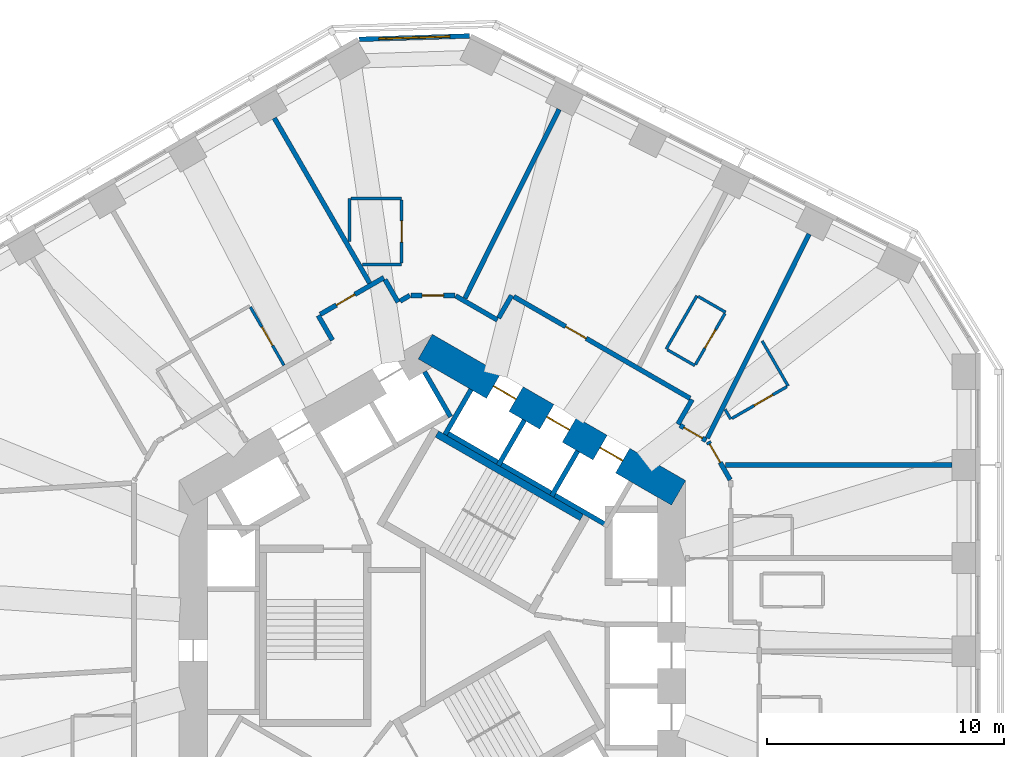
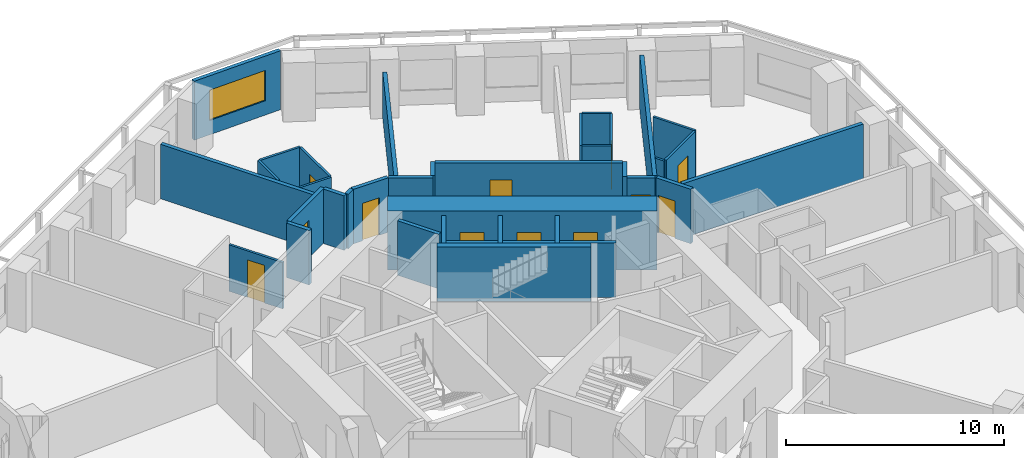
# One storey, part 8 of 12: 35 walls, 12 doors, 1 window, 13 openings.
"""IFC4 building model written with IfcOpenShell, lengths in metres."""

from ifc_helpers import new_model, si_unit, direction, frame, frame_2d, origin, place, context, subcontext, project, spatial, rectangle, extrude, material, layer, layer_set, type_object, element, fill, save


model = new_model("IFC4")

# Units and contexts
model_context = context("Model", 3, precision=1e-05, world=origin(), true_north=direction((0.0, 1.0)))
body_context = subcontext(model_context, "Body", "Model", "MODEL_VIEW")
ifc_project = project(units=[si_unit("LENGTHUNIT", "METRE"), si_unit("AREAUNIT", "SQUARE_METRE"), si_unit("VOLUMEUNIT", "CUBIC_METRE"), si_unit("PLANEANGLEUNIT", "RADIAN"), si_unit("MASSUNIT", "GRAM", prefix="KILO")], contexts=[model_context])

# Site, building, storey
site_placement = place(None, origin())
site = spatial("IfcSite", under=ifc_project, at=site_placement, CompositionType="ELEMENT")
building_placement = place(site_placement, origin())
building = spatial("IfcBuilding", under=site, at=building_placement, Name="Vanh Sen Convention Tower", CompositionType="ELEMENT")
storey_placement = place(building_placement, frame((0.0, 0.0, 47.300048828125)))
storey = spatial("IfcBuildingStorey", under=building, at=storey_placement, Name="L08", CompositionType="ELEMENT", Elevation=47.300048828125)

# Wall, opening, door
ifc_material_1 = material(Name="Moisture-resistant gypsum board on steel studs", Category="steel")
ifc_layer_1 = layer(ifc_material_1, 0.1201171875)
ifc_layer_set_1 = layer_set([ifc_layer_1], Name="Moisture-resistant gypsum board on steel studs")
wall_type_1 = type_object("IfcWallType", Name="Bathroom partition 120", PredefinedType="PARTITIONING", material=ifc_layer_set_1)
wall_1_placement = place(storey_placement, frame((-7.687255859375, 13.505615234375, 0.0), z_axis=(0.0, 0.0, 1.0), x_axis=(0.499985389037, -0.866033839264, 0.0)))
wall_1 = element("IfcWall", 1, at=wall_1_placement, inside=storey, type_object=wall_type_1, Name="Bathroom partition 120", PredefinedType="PARTITIONING", context=body_context, shape_type="SweptSolid", body=[
    extrude(rectangle(XDim=2.83984375, YDim=0.1201171875, at=frame_2d((1.419921875, 0.0))), origin(), (0.0, 0.0, 1.0), 2.599853515625),
])
opening_1_placement = place(wall_1_placement, frame((0.969970703125, 0.0, 0.0)))
opening_1 = element("IfcOpeningElement", 2, at=opening_1_placement, cuts=wall_1, Name="Opening D07115", PredefinedType="OPENING", context=body_context, shape_type="SweptSolid", body=[
    extrude(rectangle(XDim=0.89990234375, YDim=2.10009765625, at=frame_2d((0.449951171875, 1.050048828125))), frame((0.0, 0.070068359375, 0.0), z_axis=(0.0, -1.0, 0.0), x_axis=(1.0, 0.0, 0.0)), (0.0, 0.0, 1.0), 0.14013671875),
])
ifc_material_2 = material(Name="Laminate door in steel frame", Category="steel")
door_type_1 = type_object("IfcDoorType", Name="En-suite door 900", OperationType="SINGLE_SWING_LEFT", PredefinedType="DOOR", material=ifc_material_2)
door_1_placement = place(opening_1_placement, origin())
door_1 = element("IfcDoor", 3, at=door_1_placement, inside=storey, type_object=door_type_1, Name="En-suite door D07115", OperationType="SINGLE_SWING_LEFT", OverallHeight=2.10009765625, OverallWidth=0.89990234375, PredefinedType="DOOR", context=body_context, shape_type="SweptSolid", body=[
    extrude(rectangle(XDim=0.89990234375, YDim=2.10009765625, at=frame_2d((0.449951171875, 1.050048828125))), frame((0.0, 0.02490234375, 0.0), z_axis=(0.0, -1.0, 0.0), x_axis=(1.0, 0.0, 0.0)), (0.0, 0.0, 1.0), 0.050048828125),
])
fill(opening_1, door_1)

# Walls
wall_2_placement = place(storey_placement, frame((-3.5, 16.271484375, 0.0), z_axis=(0.0, 0.0, 1.0), x_axis=(0.0, 1.0, 0.0)))
element("IfcWall", 4, at=wall_2_placement, inside=storey, type_object=wall_type_1, Name="Bathroom partition 120", PredefinedType="PARTITIONING", context=body_context, shape_type="SweptSolid", body=[
    extrude(rectangle(XDim=1.8291015625, YDim=0.1201171875, at=frame_2d((0.91455078125, 0.0))), origin(), (0.0, 0.0, 1.0), 3.050048828125),
])
wall_3_placement = place(storey_placement, frame((-3.43994140625, 18.1005859375, 0.0), z_axis=(0.0, 0.0, 1.0), x_axis=(1.0, 0.0, 0.0)))
element("IfcWall", 5, at=wall_3_placement, inside=storey, type_object=wall_type_1, Name="Bathroom partition 120", PredefinedType="PARTITIONING", context=body_context, shape_type="SweptSolid", body=[
    extrude(rectangle(XDim=2.139892578125, YDim=0.1201171875, at=frame_2d((1.06982421875, 0.0))), origin(), (0.0, 0.0, 1.0), 3.050048828125),
])
wall_4_placement = place(storey_placement, frame((-1.300048828125, 15.30078125, 0.0), z_axis=(0.0, 0.0, 1.0), x_axis=(-1.0, 0.0, 0.0)))
element("IfcWall", 6, at=wall_4_placement, inside=storey, type_object=wall_type_1, Name="Bathroom partition 120", PredefinedType="PARTITIONING", context=body_context, shape_type="SweptSolid", body=[
    extrude(rectangle(XDim=1.6611328125, YDim=0.1201171875, at=frame_2d((0.83056640625, 0.0))), origin(), (0.0, 0.0, 1.0), 3.050048828125),
])

# Wall, opening, door
wall_5_placement = place(storey_placement, frame((-1.300048828125, 18.040771484375, 0.0), z_axis=(0.0, 0.0, 1.0), x_axis=(0.0, -1.0, 0.0)))
wall_5 = element("IfcWall", 7, at=wall_5_placement, inside=storey, type_object=wall_type_1, Name="Bathroom partition 120", PredefinedType="PARTITIONING", context=body_context, shape_type="SweptSolid", body=[
    extrude(rectangle(XDim=2.68017578125, YDim=0.1201171875, at=frame_2d((1.340087890625, 0.0))), origin(), (0.0, 0.0, 1.0), 3.050048828125),
])
opening_2_placement = place(wall_5_placement, frame((0.889892578125, 0.0, 0.0)))
opening_2 = element("IfcOpeningElement", 8, at=opening_2_placement, cuts=wall_5, Name="Opening D07113", PredefinedType="OPENING", context=body_context, shape_type="SweptSolid", body=[
    extrude(rectangle(XDim=0.89990234375, YDim=2.10009765625, at=frame_2d((0.449951171875, 1.050048828125))), frame((0.0, 0.070068359375, 0.0), z_axis=(0.0, -1.0, 0.0), x_axis=(1.0, 0.0, 0.0)), (0.0, 0.0, 1.0), 0.14013671875),
])
door_2_placement = place(opening_2_placement, origin())
door_2 = element("IfcDoor", 9, at=door_2_placement, inside=storey, type_object=door_type_1, Name="En-suite door D07113", OperationType="SINGLE_SWING_LEFT", OverallHeight=2.10009765625, OverallWidth=0.89990234375, PredefinedType="DOOR", context=body_context, shape_type="SweptSolid", body=[
    extrude(rectangle(XDim=0.89990234375, YDim=2.10009765625, at=frame_2d((0.449951171875, 1.050048828125))), frame((0.0, 0.02490234375, 0.0), z_axis=(0.0, -1.0, 0.0), x_axis=(1.0, 0.0, 0.0)), (0.0, 0.0, 1.0), 0.050048828125),
])
fill(opening_2, door_2)

# Walls
wall_6_placement = place(storey_placement, frame((9.87451171875, 11.736083984375, 0.0), z_axis=(0.0, 0.0, 1.0), x_axis=(0.499936506574, 0.866062058628, 0.0)))
element("IfcWall", 10, at=wall_6_placement, inside=storey, type_object=wall_type_1, Name="Bathroom partition 120", PredefinedType="PARTITIONING", context=body_context, shape_type="SweptSolid", body=[
    extrude(rectangle(XDim=2.599853515625, YDim=0.1201171875, at=frame_2d((1.2998046875, 0.0))), origin(), (0.0, 0.0, 1.0), 3.050048828125),
])
for number, where, z_axis, x_axis, name in (
    (11, (11.0869140625, 11.0361328125, 0.0), (0.0, 0.0, 1.0), (-0.866036909293, 0.499980071345, 0.0), "Bathroom partition 120"),
    (12, (11.226318359375, 13.957763671875, 0.0), (0.0, 0.0, 1.0), (0.866036909293, -0.499980071345, 0.0), "Bathroom partition 120"),
):
    element("IfcWall", number, at=place(storey_placement, frame(where, z_axis=z_axis, x_axis=x_axis)), inside=storey, type_object=wall_type_1, Name=name, PredefinedType="PARTITIONING", context=body_context, shape_type="SweptSolid", body=[
        extrude(rectangle(XDim=1.33984375, YDim=0.1201171875, at=frame_2d((0.669921875, 0.0))), origin(), (0.0, 0.0, 1.0), 3.050048828125),
    ])

# Wall, opening, door
wall_7_placement = place(storey_placement, frame((12.356689453125, 13.23583984375, 0.0), z_axis=(0.0, 0.0, 1.0), x_axis=(-0.50000366821, -0.866023285932, 0.0)))
wall_7 = element("IfcWall", 13, at=wall_7_placement, inside=storey, type_object=wall_type_1, Name="Bathroom partition 120", PredefinedType="PARTITIONING", context=body_context, shape_type="SweptSolid", body=[
    extrude(rectangle(XDim=2.47998046875, YDim=0.1201171875, at=frame_2d((1.239990234375, 0.0))), origin(), (0.0, 0.0, 1.0), 3.050048828125),
])
opening_3_placement = place(wall_7_placement, frame((0.7900390625, 0.0, 0.0)))
opening_3 = element("IfcOpeningElement", 14, at=opening_3_placement, cuts=wall_7, Name="Opening D07110", PredefinedType="OPENING", context=body_context, shape_type="SweptSolid", body=[
    extrude(rectangle(XDim=0.89990234375, YDim=2.10009765625, at=frame_2d((0.449951171875, 1.050048828125))), frame((0.0, 0.070068359375, 0.0), z_axis=(0.0, -1.0, 0.0), x_axis=(1.0, 0.0, 0.0)), (0.0, 0.0, 1.0), 0.14013671875),
])
door_3_placement = place(opening_3_placement, origin())
door_3 = element("IfcDoor", 15, at=door_3_placement, inside=storey, type_object=door_type_1, Name="En-suite door D07110", OperationType="SINGLE_SWING_LEFT", OverallHeight=2.10009765625, OverallWidth=0.89990234375, PredefinedType="DOOR", context=body_context, shape_type="SweptSolid", body=[
    extrude(rectangle(XDim=0.89990234375, YDim=2.10009765625, at=frame_2d((0.449951171875, 1.050048828125))), frame((0.0, 0.02490234375, 0.0), z_axis=(0.0, -1.0, 0.0), x_axis=(1.0, 0.0, 0.0)), (0.0, 0.0, 1.0), 0.050048828125),
])
fill(opening_3, door_3)

# Walls
wall_8_placement = place(storey_placement, frame((12.600830078125, 8.776123046875, 0.0), z_axis=(0.0, 0.0, 1.0), x_axis=(-0.500166486798, 0.865929261247, 0.0)))
element("IfcWall", 16, at=wall_8_placement, inside=storey, type_object=wall_type_1, Name="Bathroom partition 120", PredefinedType="PARTITIONING", context=body_context, shape_type="SweptSolid", body=[
    extrude(rectangle(XDim=0.475830078125, YDim=0.1201171875, at=frame_2d((0.23779296875, 0.0))), origin(), (0.0, 0.0, 1.0), 3.050048828125),
])
wall_9_placement = place(storey_placement, frame((13.92578125, 12.081298828125, 0.0), z_axis=(0.0, 0.0, 1.0), x_axis=(0.499994660107, -0.866028486751, 0.0)))
element("IfcWall", 17, at=wall_9_placement, inside=storey, type_object=wall_type_1, Name="Bathroom partition 120", PredefinedType="PARTITIONING", context=body_context, shape_type="SweptSolid", body=[
    extrude(rectangle(XDim=2.19970703125, YDim=0.1201171875, at=frame_2d((1.099853515625, 0.0))), origin(), (0.0, 0.0, 1.0), 3.050048828125),
])

# Wall, opening, door
wall_10_placement = place(storey_placement, frame((14.9736328125, 10.146240234375, 0.0), z_axis=(0.0, 0.0, 1.0), x_axis=(-0.86599746015, -0.500048396672, 0.0)))
wall_10 = element("IfcWall", 18, at=wall_10_placement, inside=storey, type_object=wall_type_1, Name="Bathroom partition 120", PredefinedType="PARTITIONING", context=body_context, shape_type="SweptSolid", body=[
    extrude(rectangle(XDim=2.679931640625, YDim=0.1201171875, at=frame_2d((1.33984375, 0.0))), origin(), (0.0, 0.0, 1.0), 3.050048828125),
])
opening_4_placement = place(wall_10_placement, frame((0.68994140625, 0.0, 0.0)))
opening_4 = element("IfcOpeningElement", 19, at=opening_4_placement, cuts=wall_10, Name="Opening D07108", PredefinedType="OPENING", context=body_context, shape_type="SweptSolid", body=[
    extrude(rectangle(XDim=0.89990234375, YDim=2.10009765625, at=frame_2d((0.449951171875, 1.050048828125))), frame((0.0, 0.070068359375, 0.0), z_axis=(0.0, -1.0, 0.0), x_axis=(1.0, 0.0, 0.0)), (0.0, 0.0, 1.0), 0.14013671875),
])
door_4_placement = place(opening_4_placement, origin())
door_4 = element("IfcDoor", 20, at=door_4_placement, inside=storey, type_object=door_type_1, Name="En-suite door D07108", OperationType="SINGLE_SWING_LEFT", OverallHeight=2.10009765625, OverallWidth=0.89990234375, PredefinedType="DOOR", context=body_context, shape_type="SweptSolid", body=[
    extrude(rectangle(XDim=0.89990234375, YDim=2.10009765625, at=frame_2d((0.449951171875, 1.050048828125))), frame((0.0, 0.02490234375, 0.0), z_axis=(0.0, -1.0, 0.0), x_axis=(1.0, 0.0, 0.0)), (0.0, 0.0, 1.0), 0.050048828125),
])
fill(opening_4, door_4)

# Wall, openings, doors
ifc_material_3 = material(Name="Concrete C80/95", Category="concrete")
ifc_layer_2 = layer(ifc_material_3, 1.199951171875)
ifc_layer_set_2 = layer_set([ifc_layer_2], Name="Concrete C80/95")
wall_type_2 = type_object("IfcWallType", Name="Core outer wall 1200 C80/95", PredefinedType="SHEAR", material=ifc_layer_set_2)
wall_11_placement = place(storey_placement, frame((10.39990234375, 5.657958984375, 0.0), z_axis=(0.0, 0.0, 1.0), x_axis=(-0.866021384402, 0.500006961711, 0.0)))
wall_11 = element("IfcWall", 21, at=wall_11_placement, inside=storey, type_object=wall_type_2, Name="Core wall face NE L08", PredefinedType="SHEAR", context=body_context, shape_type="SweptSolid", body=[
    extrude(rectangle(XDim=12.355224609375, YDim=1.199951171875, at=frame_2d((6.177734375, 0.0))), origin(), (0.0, 0.0, 1.0), 3.300048828125),
])
opening_5_placement = place(wall_11_placement, frame((2.727783203125, 0.0, 0.0)))
opening_5 = element("IfcOpeningElement", 22, at=opening_5_placement, cuts=wall_11, Name="Opening LD-LR3", PredefinedType="OPENING", context=body_context, shape_type="SweptSolid", body=[
    extrude(rectangle(XDim=1.10009765625, YDim=2.10009765625, at=frame_2d((0.550048828125, 1.050048828125))), frame((0.0, 0.60986328125, 0.0), z_axis=(0.0, -1.0, 0.0), x_axis=(1.0, 0.0, 0.0)), (0.0, 0.0, 1.0), 1.219970703125),
])
opening_6_placement = place(wall_11_placement, frame((5.32763671875, 0.0, 0.0)))
opening_6 = element("IfcOpeningElement", 23, at=opening_6_placement, cuts=wall_11, Name="Opening LD-LR4", PredefinedType="OPENING", context=body_context, shape_type="SweptSolid", body=[
    extrude(rectangle(XDim=1.10009765625, YDim=2.10009765625, at=frame_2d((0.550048828125, 1.050048828125))), frame((0.0, 0.60986328125, 0.0), z_axis=(0.0, -1.0, 0.0), x_axis=(1.0, 0.0, 0.0)), (0.0, 0.0, 1.0), 1.219970703125),
])
opening_7_placement = place(wall_11_placement, frame((7.927734375, 0.0, 0.0)))
opening_7 = element("IfcOpeningElement", 24, at=opening_7_placement, cuts=wall_11, Name="Opening LD-LR5", PredefinedType="OPENING", context=body_context, shape_type="SweptSolid", body=[
    extrude(rectangle(XDim=1.10009765625, YDim=2.10009765625, at=frame_2d((0.550048828125, 1.050048828125))), frame((0.0, 0.60986328125, 0.0), z_axis=(0.0, -1.0, 0.0), x_axis=(1.0, 0.0, 0.0)), (0.0, 0.0, 1.0), 1.219970703125),
])
ifc_material_4 = material(Name="Stainless steel", Category="steel")
door_type_2 = type_object("IfcDoorType", Name="Lift landing door 1100", OperationType="DOUBLE_DOOR_SLIDING", PredefinedType="DOOR", material=ifc_material_4)
door_5_placement = place(opening_5_placement, origin())
door_5 = element("IfcDoor", 25, at=door_5_placement, inside=storey, type_object=door_type_2, Name="Lift LR3 landing door LD-LR3", OperationType="DOUBLE_DOOR_SLIDING", OverallHeight=2.10009765625, OverallWidth=1.10009765625, PredefinedType="DOOR", context=body_context, shape_type="SweptSolid", body=[
    extrude(rectangle(XDim=1.10009765625, YDim=2.10009765625, at=frame_2d((0.550048828125, 1.050048828125))), frame((0.0, 0.02490234375, 0.0), z_axis=(0.0, -1.0, 0.0), x_axis=(1.0, 0.0, 0.0)), (0.0, 0.0, 1.0), 0.050048828125),
])
fill(opening_5, door_5)
door_6_placement = place(opening_6_placement, origin())
door_6 = element("IfcDoor", 26, at=door_6_placement, inside=storey, type_object=door_type_2, Name="Lift LR4 landing door LD-LR4", OperationType="DOUBLE_DOOR_SLIDING", OverallHeight=2.10009765625, OverallWidth=1.10009765625, PredefinedType="DOOR", context=body_context, shape_type="SweptSolid", body=[
    extrude(rectangle(XDim=1.10009765625, YDim=2.10009765625, at=frame_2d((0.550048828125, 1.050048828125))), frame((0.0, 0.02490234375, 0.0), z_axis=(0.0, -1.0, 0.0), x_axis=(1.0, 0.0, 0.0)), (0.0, 0.0, 1.0), 0.050048828125),
])
fill(opening_6, door_6)
door_7_placement = place(opening_7_placement, origin())
door_7 = element("IfcDoor", 27, at=door_7_placement, inside=storey, type_object=door_type_2, Name="Lift LR5 landing door LD-LR5", OperationType="DOUBLE_DOOR_SLIDING", OverallHeight=2.10009765625, OverallWidth=1.10009765625, PredefinedType="DOOR", context=body_context, shape_type="SweptSolid", body=[
    extrude(rectangle(XDim=1.10009765625, YDim=2.10009765625, at=frame_2d((0.550048828125, 1.050048828125))), frame((0.0, 0.02490234375, 0.0), z_axis=(0.0, -1.0, 0.0), x_axis=(1.0, 0.0, 0.0)), (0.0, 0.0, 1.0), 0.050048828125),
])
fill(opening_7, door_7)

# Wall
ifc_material_5 = material(Name="Gypsum board on steel studs with mineral wool", Category="steel")
ifc_layer_3 = layer(ifc_material_5, 0.199951171875)
ifc_layer_set_3 = layer_set([ifc_layer_3], Name="Gypsum board on steel studs with mineral wool")
wall_type_3 = type_object("IfcWallType", Name="Corridor partition wall 200", PredefinedType="PARTITIONING", material=ifc_layer_set_3)
wall_12_placement = place(storey_placement, frame((-4.822998046875, 13.151611328125, 0.0), z_axis=(0.0, 0.0, 1.0), x_axis=(0.499986357472, -0.866033280158, 0.0)))
element("IfcWall", 28, at=wall_12_placement, inside=storey, type_object=wall_type_3, Name="Corridor partition wall 200", PredefinedType="PARTITIONING", context=body_context, shape_type="SweptSolid", body=[
    extrude(rectangle(XDim=1.201171875, YDim=0.199951171875, at=frame_2d((0.6005859375, 0.0))), origin(), (0.0, 0.0, 1.0), 3.050048828125),
])

# Wall, opening, door
wall_13_placement = place(storey_placement, frame((-2.0498046875, 14.75244140625, 0.0), z_axis=(0.0, 0.0, 1.0), x_axis=(-0.866030936828, -0.499990416364, 0.0)))
wall_13 = element("IfcWall", 29, at=wall_13_placement, inside=storey, type_object=wall_type_3, Name="Corridor partition wall 200", PredefinedType="PARTITIONING", context=body_context, shape_type="SweptSolid", body=[
    extrude(rectangle(XDim=3.10205078125, YDim=0.199951171875, at=frame_2d((1.551025390625, 0.0))), origin(), (0.0, 0.0, 1.0), 3.050048828125),
])
opening_8_placement = place(wall_13_placement, frame((1.419189453125, 0.0, 0.0)))
opening_8 = element("IfcOpeningElement", 30, at=opening_8_placement, cuts=wall_13, Name="Opening D07114", PredefinedType="OPENING", context=body_context, shape_type="SweptSolid", body=[
    extrude(rectangle(XDim=0.89990234375, YDim=2.10009765625, at=frame_2d((0.449951171875, 1.050048828125))), frame((0.0, 0.10986328125, 0.0), z_axis=(0.0, -1.0, 0.0), x_axis=(1.0, 0.0, 0.0)), (0.0, 0.0, 1.0), 0.219970703125),
])
ifc_material_6 = material(Name="Timber fire door in steel frame", Category="steel")
door_type_3 = type_object("IfcDoorType", Name="Guest room door 900", OperationType="SINGLE_SWING_LEFT", PredefinedType="DOOR", material=ifc_material_6)
door_8_placement = place(opening_8_placement, origin())
door_8 = element("IfcDoor", 31, at=door_8_placement, inside=storey, type_object=door_type_3, Name="Hotel guest room door D07114", OperationType="SINGLE_SWING_LEFT", OverallHeight=2.10009765625, OverallWidth=0.89990234375, PredefinedType="DOOR", context=body_context, shape_type="SweptSolid", body=[
    extrude(rectangle(XDim=0.89990234375, YDim=2.10009765625, at=frame_2d((0.449951171875, 1.050048828125))), frame((0.0, 0.02490234375, 0.0), z_axis=(0.0, -1.0, 0.0), x_axis=(1.0, 0.0, 0.0)), (0.0, 0.0, 1.0), 0.050048828125),
])
fill(opening_8, door_8)

# Walls
wall_14_placement = place(storey_placement, frame((-1.449462890625, 13.71240234375, 0.0), z_axis=(0.0, 0.0, 1.0), x_axis=(-0.499978356969, 0.866037899034, 0.0)))
element("IfcWall", 32, at=wall_14_placement, inside=storey, type_object=wall_type_3, Name="Corridor partition wall 200", PredefinedType="PARTITIONING", context=body_context, shape_type="SweptSolid", body=[
    extrude(rectangle(XDim=1.10107421875, YDim=0.199951171875, at=frame_2d((0.550537109375, 0.0))), origin(), (0.0, 0.0, 1.0), 3.050048828125),
])
wall_15_placement = place(storey_placement, frame((-0.949951171875, 14.000732421875, 0.0), z_axis=(0.0, 0.0, 1.0), x_axis=(-0.86609177584, -0.499885022602, 0.0)))
element("IfcWall", 33, at=wall_15_placement, inside=storey, type_object=wall_type_3, Name="Corridor partition wall 200", PredefinedType="PARTITIONING", context=body_context, shape_type="SweptSolid", body=[
    extrude(rectangle(XDim=0.4765625, YDim=0.199951171875, at=frame_2d((0.23828125, 0.0))), origin(), (0.0, 0.0, 1.0), 3.050048828125),
])

# Wall, opening, door
wall_16_placement = place(storey_placement, frame((0.949951171875, 14.000732421875, 0.0), z_axis=(0.0, 0.0, 1.0), x_axis=(-1.0, 0.0, 0.0)))
wall_16 = element("IfcWall", 34, at=wall_16_placement, inside=storey, type_object=wall_type_3, Name="Corridor partition wall 200", PredefinedType="PARTITIONING", context=body_context, shape_type="SweptSolid", body=[
    extrude(rectangle(XDim=1.85986328125, YDim=0.199951171875, at=frame_2d((0.929931640625, 0.0))), origin(), (0.0, 0.0, 1.0), 3.050048828125),
])
opening_9_placement = place(wall_16_placement, frame((0.47998046875, 0.0, 0.0)))
opening_9 = element("IfcOpeningElement", 35, at=opening_9_placement, cuts=wall_16, Name="Opening D07112", PredefinedType="OPENING", context=body_context, shape_type="SweptSolid", body=[
    extrude(rectangle(XDim=0.89990234375, YDim=2.10009765625, at=frame_2d((0.449951171875, 1.050048828125))), frame((0.0, 0.10986328125, 0.0), z_axis=(0.0, -1.0, 0.0), x_axis=(1.0, 0.0, 0.0)), (0.0, 0.0, 1.0), 0.219970703125),
])
door_9_placement = place(opening_9_placement, origin())
door_9 = element("IfcDoor", 36, at=door_9_placement, inside=storey, type_object=door_type_3, Name="Hotel guest room door D07112", OperationType="SINGLE_SWING_LEFT", OverallHeight=2.10009765625, OverallWidth=0.89990234375, PredefinedType="DOOR", context=body_context, shape_type="SweptSolid", body=[
    extrude(rectangle(XDim=0.89990234375, YDim=2.10009765625, at=frame_2d((0.449951171875, 1.050048828125))), frame((0.0, 0.02490234375, 0.0), z_axis=(0.0, -1.0, 0.0), x_axis=(1.0, 0.0, 0.0)), (0.0, 0.0, 1.0), 0.050048828125),
])
fill(opening_9, door_9)

# Walls
wall_17_placement = place(storey_placement, frame((2.748291015625, 12.96240234375, 0.0), z_axis=(0.0, 0.0, 1.0), x_axis=(-0.866013897511, 0.50001992892, 0.0)))
element("IfcWall", 37, at=wall_17_placement, inside=storey, type_object=wall_type_3, Name="Corridor partition wall 200", PredefinedType="PARTITIONING", context=body_context, shape_type="SweptSolid", body=[
    extrude(rectangle(XDim=2.03662109375, YDim=0.199951171875, at=frame_2d((1.018310546875, 0.0))), origin(), (0.0, 0.0, 1.0), 3.050048828125),
])
wall_18_placement = place(storey_placement, frame((3.348876953125, 14.00244140625, 0.0), z_axis=(0.0, 0.0, 1.0), x_axis=(-0.500074377092, -0.865982457891, 0.0)))
element("IfcWall", 38, at=wall_18_placement, inside=storey, type_object=wall_type_3, Name="Corridor partition wall 200", PredefinedType="PARTITIONING", context=body_context, shape_type="SweptSolid", body=[
    extrude(rectangle(XDim=1.100830078125, YDim=0.199951171875, at=frame_2d((0.55029296875, 0.0))), origin(), (0.0, 0.0, 1.0), 3.050048828125),
])
wall_19_placement = place(storey_placement, frame((10.37109375, 8.561279296875, 0.0), z_axis=(0.0, 0.0, 1.0), x_axis=(0.499986357472, 0.866033280158, 0.0)))
element("IfcWall", 39, at=wall_19_placement, inside=storey, type_object=wall_type_3, Name="Corridor partition wall 200", PredefinedType="PARTITIONING", context=body_context, shape_type="SweptSolid", body=[
    extrude(rectangle(XDim=1.201171875, YDim=0.199951171875, at=frame_2d((0.6005859375, 0.0))), origin(), (0.0, 0.0, 1.0), 3.050048828125),
])

# Wall, opening, door
wall_20_placement = place(storey_placement, frame((10.885009765625, 9.651611328125, 0.0), z_axis=(0.0, 0.0, 1.0), x_axis=(-0.866033868542, 0.499985338323, 0.0)))
wall_20 = element("IfcWall", 40, at=wall_20_placement, inside=storey, type_object=wall_type_3, Name="Corridor partition wall 200", PredefinedType="PARTITIONING", context=body_context, shape_type="SweptSolid", body=[
    extrude(rectangle(XDim=8.601806640625, YDim=0.199951171875, at=frame_2d((4.30078125, 0.0))), origin(), (0.0, 0.0, 1.0), 3.050048828125),
])
opening_10_placement = place(wall_20_placement, frame((5.068603515625, 0.0, 0.0)))
opening_10 = element("IfcOpeningElement", 41, at=opening_10_placement, cuts=wall_20, Name="Opening D07111", PredefinedType="OPENING", context=body_context, shape_type="SweptSolid", body=[
    extrude(rectangle(XDim=1.0, YDim=2.10009765625, at=frame_2d((0.5, 1.050048828125))), frame((0.0, 0.10986328125, 0.0), z_axis=(0.0, -1.0, 0.0), x_axis=(1.0, 0.0, 0.0)), (0.0, 0.0, 1.0), 0.219970703125),
])
door_type_4 = type_object("IfcDoorType", Name="Floor room door 1000", OperationType="SINGLE_SWING_LEFT", PredefinedType="DOOR", material=ifc_material_6)
door_10_placement = place(opening_10_placement, origin())
door_10 = element("IfcDoor", 42, at=door_10_placement, inside=storey, type_object=door_type_4, Name="Meeting and amenity room door D07111", OperationType="SINGLE_SWING_LEFT", OverallHeight=2.10009765625, OverallWidth=1.0, PredefinedType="DOOR", context=body_context, shape_type="SweptSolid", body=[
    extrude(rectangle(XDim=1.0, YDim=2.10009765625, at=frame_2d((0.5, 1.050048828125))), frame((0.0, 0.02490234375, 0.0), z_axis=(0.0, -1.0, 0.0), x_axis=(1.0, 0.0, 0.0)), (0.0, 0.0, 1.0), 0.050048828125),
])
fill(opening_10, door_10)

wall_21_placement = place(storey_placement, frame((11.56640625, 7.871337890625, 0.0), z_axis=(0.0, 0.0, 1.0), x_axis=(-0.866004557827, 0.500036104519, 0.0)))
wall_21 = element("IfcWall", 43, at=wall_21_placement, inside=storey, type_object=wall_type_3, Name="Corridor partition wall 200", PredefinedType="PARTITIONING", context=body_context, shape_type="SweptSolid", body=[
    extrude(rectangle(XDim=1.2802734375, YDim=0.199951171875, at=frame_2d((0.64013671875, 0.0))), origin(), (0.0, 0.0, 1.0), 3.050048828125),
])
opening_11_placement = place(wall_21_placement, frame((0.190185546875, 0.0, 0.0)))
opening_11 = element("IfcOpeningElement", 44, at=opening_11_placement, cuts=wall_21, Name="Opening D07109", PredefinedType="OPENING", context=body_context, shape_type="SweptSolid", body=[
    extrude(rectangle(XDim=0.89990234375, YDim=2.10009765625, at=frame_2d((0.449951171875, 1.050048828125))), frame((0.0, 0.10986328125, 0.0), z_axis=(0.0, -1.0, 0.0), x_axis=(1.0, 0.0, 0.0)), (0.0, 0.0, 1.0), 0.219970703125),
])
door_11_placement = place(opening_11_placement, origin())
door_11 = element("IfcDoor", 45, at=door_11_placement, inside=storey, type_object=door_type_3, Name="Hotel guest room door D07109", OperationType="SINGLE_SWING_LEFT", OverallHeight=2.10009765625, OverallWidth=0.89990234375, PredefinedType="DOOR", context=body_context, shape_type="SweptSolid", body=[
    extrude(rectangle(XDim=0.89990234375, YDim=2.10009765625, at=frame_2d((0.449951171875, 1.050048828125))), frame((0.0, 0.02490234375, 0.0), z_axis=(0.0, -1.0, 0.0), x_axis=(1.0, 0.0, 0.0)), (0.0, 0.0, 1.0), 0.050048828125),
])
fill(opening_11, door_11)

wall_22_placement = place(storey_placement, frame((12.580078125, 6.212158203125, 0.0), z_axis=(0.0, 0.0, 1.0), x_axis=(-0.500063286585, 0.865988862174, 0.0)))
wall_22 = element("IfcWall", 46, at=wall_22_placement, inside=storey, type_object=wall_type_3, Name="Corridor partition wall 200", PredefinedType="PARTITIONING", context=body_context, shape_type="SweptSolid", body=[
    extrude(rectangle(XDim=1.860107421875, YDim=0.199951171875, at=frame_2d((0.93017578125, 0.0))), origin(), (0.0, 0.0, 1.0), 3.050048828125),
])
opening_12_placement = place(wall_22_placement, frame((0.841796875, 0.0, 0.0)))
opening_12 = element("IfcOpeningElement", 47, at=opening_12_placement, cuts=wall_22, Name="Opening D07107", PredefinedType="OPENING", context=body_context, shape_type="SweptSolid", body=[
    extrude(rectangle(XDim=0.89990234375, YDim=2.10009765625, at=frame_2d((0.449951171875, 1.050048828125))), frame((0.0, 0.10986328125, 0.0), z_axis=(0.0, -1.0, 0.0), x_axis=(1.0, 0.0, 0.0)), (0.0, 0.0, 1.0), 0.219970703125),
])
door_12_placement = place(opening_12_placement, origin())
door_12 = element("IfcDoor", 48, at=door_12_placement, inside=storey, type_object=door_type_3, Name="Hotel guest room door D07107", OperationType="SINGLE_SWING_LEFT", OverallHeight=2.10009765625, OverallWidth=0.89990234375, PredefinedType="DOOR", context=body_context, shape_type="SweptSolid", body=[
    extrude(rectangle(XDim=0.89990234375, YDim=2.10009765625, at=frame_2d((0.449951171875, 1.050048828125))), frame((0.0, 0.02490234375, 0.0), z_axis=(0.0, -1.0, 0.0), x_axis=(1.0, 0.0, 0.0)), (0.0, 0.0, 1.0), 0.050048828125),
])
fill(opening_12, door_12)

# Wall, opening, window
ifc_material_7 = material(Name="Insulated lightweight infill wall")
ifc_layer_4 = layer(ifc_material_7, 0.199951171875)
ifc_layer_set_4 = layer_set([ifc_layer_4], Name="Insulated lightweight infill wall")
wall_type_4 = type_object("IfcWallType", Name="External wall 200", PredefinedType="STANDARD", material=ifc_layer_set_4)
wall_23_placement = place(storey_placement, frame((1.568359375, 24.9609375, 0.0), z_axis=(0.0, 0.0, 1.0), x_axis=(-0.999533359013, -0.030546099927, 0.0)))
wall_23 = element("IfcWall", 49, at=wall_23_placement, inside=storey, type_object=wall_type_4, Name="External wall CH2 L08", PredefinedType="STANDARD", context=body_context, shape_type="SweptSolid", body=[
    extrude(rectangle(XDim=4.65966796875, YDim=0.199951171875, at=frame_2d((2.329833984375, 0.0))), origin(), (0.0, 0.0, 1.0), 3.300048828125),
])
opening_13_placement = place(wall_23_placement, frame((0.829833984375, 0.0, 0.800048828125)))
opening_13 = element("IfcOpeningElement", 50, at=opening_13_placement, cuts=wall_23, Name="Opening WH2-CH21", PredefinedType="OPENING", context=body_context, shape_type="SweptSolid", body=[
    extrude(rectangle(XDim=3.0, YDim=1.699951171875, at=frame_2d((1.5, 0.85009765625))), frame((0.0, 0.10986328125, 0.0), z_axis=(0.0, -1.0, 0.0), x_axis=(1.0, 0.0, 0.0)), (0.0, 0.0, 1.0), 0.219970703125),
])
ifc_material_8 = material(Name="Aluminium frame with clear low-emissivity glass", Category="aluminium")
window_type = type_object("IfcWindowType", Name="Hotel window 3000 x 1700", PartitioningType="SINGLE_PANEL", PredefinedType="WINDOW", material=ifc_material_8)
window_placement = place(opening_13_placement, origin())
window = element("IfcWindow", 51, at=window_placement, inside=storey, type_object=window_type, Name="Window WH2-CH21", OverallHeight=1.699951171875, OverallWidth=3.0, PartitioningType="SINGLE_PANEL", PredefinedType="WINDOW", context=body_context, shape_type="SweptSolid", body=[
    extrude(rectangle(XDim=3.0, YDim=1.699951171875, at=frame_2d((1.5, 0.85009765625))), frame((0.0, 0.030029296875, 0.0), z_axis=(0.0, -1.0, 0.0), x_axis=(1.0, 0.0, 0.0)), (0.0, 0.0, 1.0), 0.06005859375),
])
fill(opening_13, window)

# Walls
ifc_layer_5 = layer(ifc_material_5, 0.199951171875)
ifc_layer_set_5 = layer_set([ifc_layer_5], Name="Gypsum board on steel studs with mineral wool")
wall_type_5 = type_object("IfcWallType", Name="Hotel party wall 200", PredefinedType="PARTITIONING", material=ifc_layer_set_5)
wall_24_placement = place(storey_placement, frame((-6.675537109375, 21.49169921875, 0.0), z_axis=(0.0, 0.0, 1.0), x_axis=(0.500011263043, -0.866018900966, 0.0)))
element("IfcWall", 52, at=wall_24_placement, inside=storey, type_object=wall_type_5, Name="Hotel party wall 200", PredefinedType="PARTITIONING", context=body_context, shape_type="SweptSolid", body=[
    extrude(rectangle(XDim=8.049072265625, YDim=0.199951171875, at=frame_2d((4.0244140625, 0.0))), origin(), (0.0, 0.0, 1.0), 3.050048828125),
])
wall_25_placement = place(storey_placement, frame((5.35107421875, 21.859130859375, 0.0), z_axis=(0.0, 0.0, 1.0), x_axis=(-0.446205309328, -0.894930624086, 0.0)))
element("IfcWall", 53, at=wall_25_placement, inside=storey, type_object=wall_type_5, Name="Hotel party wall 200", PredefinedType="PARTITIONING", context=body_context, shape_type="SweptSolid", body=[
    extrude(rectangle(XDim=8.9130859375, YDim=0.199951171875, at=frame_2d((4.45654296875, 0.0))), origin(), (0.0, 0.0, 1.0), 2.599853515625),
])
wall_26_placement = place(storey_placement, frame((15.91455078125, 16.59228515625, 0.0), z_axis=(0.0, 0.0, 1.0), x_axis=(-0.446199736347, -0.894933402709, 0.0)))
element("IfcWall", 54, at=wall_26_placement, inside=storey, type_object=wall_type_5, Name="Hotel party wall 200", PredefinedType="PARTITIONING", context=body_context, shape_type="SweptSolid", body=[
    extrude(rectangle(XDim=9.634765625, YDim=0.199951171875, at=frame_2d((4.8173828125, 0.0))), origin(), (0.0, 0.0, 1.0), 3.050048828125),
])
wall_27_placement = place(storey_placement, frame((21.949951171875, 6.839111328125, 0.0), z_axis=(0.0, 0.0, 1.0), x_axis=(-1.0, 0.0, 0.0)))
element("IfcWall", 55, at=wall_27_placement, inside=storey, type_object=wall_type_5, Name="Hotel party wall 200", PredefinedType="PARTITIONING", context=body_context, shape_type="SweptSolid", body=[
    extrude(rectangle(XDim=9.57177734375, YDim=0.199951171875, at=frame_2d((4.785888671875, 0.0))), origin(), (0.0, 0.0, 1.0), 3.050048828125),
])
ifc_material_9 = material(Name="Concrete C40/50", Category="concrete")
ifc_layer_6 = layer(ifc_material_9, 0.199951171875)
ifc_layer_set_6 = layer_set([ifc_layer_6], Name="Concrete C40/50")
wall_type_6 = type_object("IfcWallType", Name="Lift shaft wall 200", PredefinedType="PARTITIONING", material=ifc_layer_set_6)
wall_28_placement = place(storey_placement, frame((7.423828125, 4.258544921875, 0.0), z_axis=(0.0, 0.0, 1.0), x_axis=(-0.866026010844, 0.49999894854, 0.0)))
element("IfcWall", 56, at=wall_28_placement, inside=storey, type_object=wall_type_6, Name="Lift shaft wall L08", PredefinedType="PARTITIONING", context=body_context, shape_type="SweptSolid", body=[
    extrude(rectangle(XDim=8.0, YDim=0.199951171875, at=frame_2d((4.0, 0.0))), origin(), (0.0, 0.0, 1.0), 3.050048828125),
])
for number, where, z_axis, x_axis, name in (
    (57, (5.03564453125, 5.52197265625, 0.0), (0.0, 0.0, 1.0), (0.499946605688, 0.86605622881, 0.0), "Lift shaft wall L08"),
    (58, (2.783935546875, 6.822021484375, 0.0), (0.0, 0.0, 1.0), (0.50002983664, 0.866008176907, 0.0), "Lift shaft wall L08"),
    (59, (0.5322265625, 8.1220703125, 0.0), (0.0, 0.0, 1.0), (0.500077893725, 0.86598042715, 0.0), "Lift shaft wall L08"),
):
    element("IfcWall", number, at=place(storey_placement, frame(where, z_axis=z_axis, x_axis=x_axis)), inside=storey, type_object=wall_type_6, Name=name, PredefinedType="PARTITIONING", context=body_context, shape_type="SweptSolid", body=[
        extrude(rectangle(XDim=2.199951171875, YDim=0.199951171875, at=frame_2d((1.10009765625, 0.0))), origin(), (0.0, 0.0, 1.0), 3.050048828125),
    ])
wall_29_placement = place(storey_placement, frame((0.7666015625, 8.8720703125, 0.0), z_axis=(0.0, 0.0, 1.0), x_axis=(-0.499994660107, 0.866028486751, 0.0)))
element("IfcWall", 60, at=wall_29_placement, inside=storey, type_object=wall_type_6, Name="Lift shaft wall L08", PredefinedType="PARTITIONING", context=body_context, shape_type="SweptSolid", body=[
    extrude(rectangle(XDim=2.19970703125, YDim=0.199951171875, at=frame_2d((1.099853515625, 0.0))), origin(), (0.0, 0.0, 1.0), 3.050048828125),
])
ifc_material_10 = material(Name="Concrete C60/75", Category="concrete")
ifc_layer_7 = layer(ifc_material_10, 0.300048828125)
ifc_layer_set_7 = layer_set([ifc_layer_7], Name="Concrete C60/75")
wall_type_7 = type_object("IfcWallType", Name="Stair wall 300", PredefinedType="SHEAR", material=ifc_layer_set_7)
wall_30_placement = place(storey_placement, frame((6.302978515625, 4.6171875, 0.0), z_axis=(0.0, 0.0, 1.0), x_axis=(-0.866027801685, 0.499995846692, 0.0)))
element("IfcWall", 61, at=wall_30_placement, inside=storey, type_object=wall_type_7, Name="Stair wall L08", PredefinedType="SHEAR", context=body_context, shape_type="SweptSolid", body=[
    extrude(rectangle(XDim=7.06005859375, YDim=0.300048828125, at=frame_2d((3.530029296875, 0.0))), origin(), (0.0, 0.0, 1.0), 3.050048828125),
])

save(model, "model.ifc")
